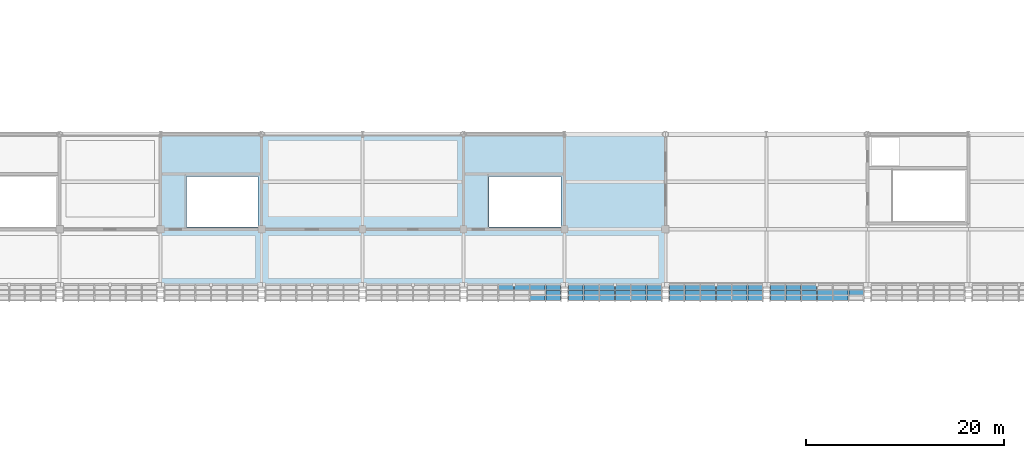
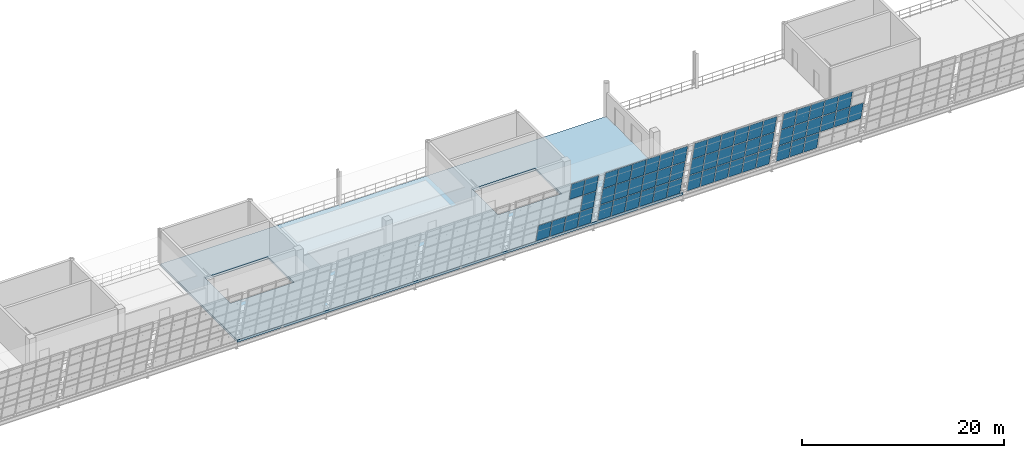
# One storey, part 104 of 157: 57 plates, 1 slab, 4 elements without a shape of their own.
"""IFC4 building model written with IfcOpenShell, lengths in metres."""

import ifcopenshell
import ifcopenshell.guid

model = None  # the IFC model being written
_history = None  # IfcOwnerHistory: only IFC2X3 demands one
_inside = {}  # id of a spatial element -> (the spatial element, [elements in it])
_under = {}  # id of a project, library or spatial element -> (it, [spatial elements below it])
_declared = {}  # id of a project -> (the project, [libraries it declares])
_typed = {}  # id of a type object -> (the type object, [elements of that type])
_made_of = {}  # id of a material, layer set ... -> (it, [elements and type objects made of it])


def new_model(schema):
    """Start an empty IFC model of exactly this schema.

    Asked for "IFC4X3", IfcOpenShell would pick the latest addendum, in which some entities
    have other attributes; the version numbers below select the first issue.
    IFC2X3 requires an IfcOwnerHistory on every rooted entity: one is made here for all.
    """
    global model, _history
    if schema == "IFC4X3":
        model = ifcopenshell.file(schema_version=(4, 3, 0, 0))
    else:
        model = ifcopenshell.file(schema=schema)
    _inside.clear()
    _under.clear()
    _declared.clear()
    _typed.clear()
    _made_of.clear()
    _history = None
    if model.schema == "IFC2X3":
        org = make("IfcOrganization", Name="unknown")
        user = make(
            "IfcPersonAndOrganization",
            ThePerson=make("IfcPerson", FamilyName="unknown"),
            TheOrganization=org,
        )
        app = make(
            "IfcApplication",
            ApplicationDeveloper=org,
            Version="unknown",
            ApplicationFullName="unknown",
            ApplicationIdentifier="unknown",
        )
        _history = make(
            "IfcOwnerHistory",
            OwningUser=user,
            OwningApplication=app,
            ChangeAction="ADDED",
            CreationDate=0,
        )
    return model


def make(cls, **values):
    """One entity of the class cls with the attributes given. An attribute that is None is left unset."""
    return model.create_entity(
        cls, **{name: value for name, value in values.items() if value is not None}
    )


def rooted(cls, **values):
    """An entity with a GlobalId (a new one), such as an element, a storey or a relation."""
    return make(cls, GlobalId=ifcopenshell.guid.new(), OwnerHistory=_history, **values)


def si_unit(unit_type, name, prefix=None):
    """IfcSIUnit, for example si_unit("LENGTHUNIT", "METRE", prefix="MILLI")."""
    return make("IfcSIUnit", UnitType=unit_type, Prefix=prefix, Name=name)


def assignment(units):
    """IfcUnitAssignment: the units of a project."""
    return None if units is None else make("IfcUnitAssignment", Units=units)


def point(xyz):
    """IfcCartesianPoint."""
    return None if xyz is None else make("IfcCartesianPoint", Coordinates=xyz)


def direction(xyz):
    """IfcDirection."""
    return None if xyz is None else make("IfcDirection", DirectionRatios=xyz)


def frame(location, z_axis=None, x_axis=None):
    """IfcAxis2Placement3D, a coordinate frame: its origin and axes. An axis left out is left unset."""
    return make(
        "IfcAxis2Placement3D",
        Location=point(location),
        Axis=direction(z_axis),
        RefDirection=direction(x_axis),
    )


def origin():
    """The frame at (0, 0, 0) with its axes left unset."""
    return frame((0.0, 0.0, 0.0))


def place(relative_to, where):
    """IfcLocalPlacement: puts the frame where relative to a parent placement (None: the world)."""
    return make(
        "IfcLocalPlacement", PlacementRelTo=relative_to, RelativePlacement=where
    )


def context(
    kind, dimensions, precision=None, world=None, true_north=None, identifier=None
):
    """IfcGeometricRepresentationContext, for example the 3D "Model" context."""
    return make(
        "IfcGeometricRepresentationContext",
        ContextIdentifier=identifier,
        ContextType=kind,
        CoordinateSpaceDimension=dimensions,
        Precision=precision,
        WorldCoordinateSystem=world,
        TrueNorth=true_north,
    )


def subcontext(parent, identifier, kind, view, scale=None):
    """IfcGeometricRepresentationSubContext, for example "Body" below "Model"."""
    return make(
        "IfcGeometricRepresentationSubContext",
        ContextIdentifier=identifier,
        ContextType=kind,
        ParentContext=parent,
        TargetScale=scale,
        TargetView=view,
    )


def project(units=None, contexts=None):
    """IfcProject with its units and contexts."""
    return rooted(
        "IfcProject",
        Name="project",
        RepresentationContexts=contexts,
        UnitsInContext=assignment(units),
    )


def spatial(cls, under=None, at=None, **own):
    """A site, building, storey or space (cls), placed at a placement, below another one or the project."""
    s = rooted(cls, ObjectPlacement=at, **own)
    if under is not None:
        _under.setdefault(under.id(), (under, []))[1].append(s)
    return s


def polyline(points):
    """IfcPolyline through the points."""
    return make("IfcPolyline", Points=[point(p) for p in points])


def outline(outer, holes=None, kind="AREA"):
    """IfcArbitraryClosedProfileDef: a profile drawn as a closed curve; with holes, ...WithVoids."""
    if holes is None:
        return make("IfcArbitraryClosedProfileDef", ProfileType=kind, OuterCurve=outer)
    return make(
        "IfcArbitraryProfileDefWithVoids",
        ProfileType=kind,
        OuterCurve=outer,
        InnerCurves=holes,
    )


def extrude(swept, where, along, depth):
    """IfcExtrudedAreaSolid: the profile swept, set in the frame where, extruded along a direction by depth."""
    return make(
        "IfcExtrudedAreaSolid",
        SweptArea=swept,
        Position=where,
        ExtrudedDirection=direction(along),
        Depth=depth,
    )


def shape(context_of_items, identifier, shape_type, items):
    """IfcShapeRepresentation: the items that make up one representation, for example the "Body"."""
    return make(
        "IfcShapeRepresentation",
        ContextOfItems=context_of_items,
        RepresentationIdentifier=identifier,
        RepresentationType=shape_type,
        Items=items,
    )


def material(Name=None, Category=None):
    """IfcMaterial."""
    return make("IfcMaterial", Name=Name, Category=Category)


def layer(
    of_material, thickness, ventilated=None, Name=None, Category=None, Priority=None
):
    """IfcMaterialLayer: one layer of a wall or slab, of a material (None: an air gap)."""
    return make(
        "IfcMaterialLayer",
        Material=of_material,
        LayerThickness=thickness,
        IsVentilated=ventilated,
        Name=Name,
        Category=Category,
        Priority=Priority,
    )


def layer_set(layers, Name=None):
    """IfcMaterialLayerSet."""
    return make("IfcMaterialLayerSet", MaterialLayers=layers, LayerSetName=Name)


def made_of(thing, what):
    """Note that an element or type object is made of a material, layer set ...; save() writes the relation."""
    if what is not None:
        _made_of.setdefault(what.id(), (what, []))[1].append(thing)
    return thing


def type_object(cls, material=None, **own):
    """A type object (cls), such as IfcWallType, which elements share."""
    return made_of(rooted(cls, **own), material)


def element(
    cls,
    number,
    at=None,
    inside=None,
    cuts=None,
    type_object=None,
    material=None,
    context=None,
    identifier="Body",
    shape_type=None,
    held_by="IfcProductDefinitionShape",
    body=None,
    shapes=None,
    **own,
):
    """One element of the class cls, such as IfcWall. Its Tag is "e" and its number.

    at: its placement. inside: the storey or other place that contains it. cuts: it is an
    opening in that element (IfcRelVoidsElement). A single representation is given by context,
    identifier, shape_type and body (its items); several are given by shapes. held_by: the class
    of the entity that holds the representations. save() writes the other relations.
    """
    e = rooted(cls, Tag="e%d" % number, ObjectPlacement=at, **own)
    if body is not None:
        shapes = [shape(context, identifier, shape_type, body)]
    if shapes is not None:
        e.Representation = make(held_by, Representations=shapes)
    if inside is not None:
        _inside.setdefault(inside.id(), (inside, []))[1].append(e)
    if cuts is not None:
        rooted(
            "IfcRelVoidsElement", RelatingBuildingElement=cuts, RelatedOpeningElement=e
        )
    if type_object is not None:
        _typed.setdefault(type_object.id(), (type_object, []))[1].append(e)
    return made_of(e, material)


def aggregate(whole, parts):
    """IfcRelAggregates: a whole, such as a stair, and the parts it consists of."""
    return rooted("IfcRelAggregates", RelatingObject=whole, RelatedObjects=parts)


def save(model, path):
    """Write the relations noted so far, then the file.

    IfcRelAggregates (storeys below a building ...), IfcRelContainedInSpatialStructure (elements
    in a storey), IfcRelDefinesByType, IfcRelAssociatesMaterial and IfcRelDeclares: one each for
    every whole, place, type object, material and project.
    """
    for whole, parts in _under.values():
        aggregate(whole, parts)
    for where, things in _inside.values():
        rooted(
            "IfcRelContainedInSpatialStructure",
            RelatedElements=things,
            RelatingStructure=where,
        )
    for kind, things in _typed.values():
        rooted("IfcRelDefinesByType", RelatedObjects=things, RelatingType=kind)
    for what, things in _made_of.values():
        rooted("IfcRelAssociatesMaterial", RelatedObjects=things, RelatingMaterial=what)
    for by, libraries in _declared.values():
        rooted("IfcRelDeclares", RelatingContext=by, RelatedDefinitions=libraries)
    model.write(path)


model = new_model("IFC4")

# Units and contexts
model_context = context("Model", 3, precision=1e-05, world=origin(), true_north=direction((0.0, 1.0)))
body_context = subcontext(model_context, "Body", "Model", "MODEL_VIEW")
ifc_project = project(units=[si_unit("LENGTHUNIT", "METRE"), si_unit("AREAUNIT", "SQUARE_METRE"), si_unit("VOLUMEUNIT", "CUBIC_METRE"), si_unit("PLANEANGLEUNIT", "RADIAN"), si_unit("MASSUNIT", "GRAM", prefix="KILO")], contexts=[model_context])

# Site, building, storey
site_placement = place(None, origin())
site = spatial("IfcSite", under=ifc_project, at=site_placement, CompositionType="ELEMENT")
building_placement = place(site_placement, origin())
building = spatial("IfcBuilding", under=site, at=building_placement, Name="Brelvane Convention Centre", CompositionType="ELEMENT")
storey_placement = place(building_placement, frame((0.0, 0.0, 10.800048828125)))
storey = spatial("IfcBuildingStorey", under=building, at=storey_placement, Name="L02", CompositionType="ELEMENT", Elevation=10.800048828125)

# Curtain wall, plates
ifc_material_1 = material(Name="Anodised Aluminium Alloy 6063-T6", Category="aluminium")
curtain_wall_type = type_object("IfcCurtainWallType", Name="Curtain Wall CW-HULL-S", PredefinedType="USERDEFINED", material=ifc_material_1)
curtain_wall_1_placement = place(storey_placement, origin())
curtain_wall_1 = element("IfcCurtainWall", 1, at=curtain_wall_1_placement, inside=storey, type_object=curtain_wall_type, Name="Curtain Wall CW-HULL-S L02-HULL-S-L02-09", ObjectType="UNITISED", PredefinedType="USERDEFINED")
ifc_material_2 = material(Name="Double Glazed Low-E Laminated Unit")
ifc_layer_1 = layer(ifc_material_2, 0.0380859375)
ifc_layer_set_1 = layer_set([ifc_layer_1], Name="Double Glazed Low-E Laminated Unit")
plate_type_1 = type_object("IfcPlateType", Name="Curtain Panel CW-PG2", PredefinedType="CURTAIN_PANEL", material=ifc_layer_set_1)
plate_1_placement = place(storey_placement, frame((88.333251953125, 12.51953125, 4.606689453125), z_axis=(0.0, 0.973586933466, 0.228316628794), x_axis=(1.0, 0.0, 0.0)))
plate_1 = element("IfcPlate", 2, at=plate_1_placement, type_object=plate_type_1, Name="CW-HULL-S panel 5.3", PredefinedType="CURTAIN_PANEL", context=body_context, shape_type="SweptSolid", body=[
    extrude(outline(polyline([(0.0, 0.0), (1.513427734375, 0.0), (1.513427734375, -2.2220204521674902), (0.0, -2.2220204521674902), (0.0, 0.0)])), origin(), (0.0, 0.0, -1.0), 0.0380859375),
])
plate_2_placement = place(storey_placement, frame((89.9267578125, 13.05517578125, 2.3232421875), z_axis=(0.0, 0.973573977576, 0.228371868203), x_axis=(1.0, 0.0, 0.0)))
plate_2 = element("IfcPlate", 3, at=plate_2_placement, type_object=plate_type_1, Name="CW-HULL-S panel 6.2", PredefinedType="CURTAIN_PANEL", context=body_context, shape_type="SweptSolid", body=[
    extrude(outline(polyline([(0.0, 0.0), (1.47314453125, 0.0), (1.47314453125, -2.2631758771022032), (0.0, -2.2631758771022032), (0.0, 0.0)])), origin(), (0.0, 0.0, -1.0), 0.0380859375),
])
plate_3_placement = place(storey_placement, frame((89.9267578125, 12.51953125, 4.606689453125), z_axis=(0.0, 0.973586933466, 0.228316628794), x_axis=(1.0, 0.0, 0.0)))
plate_3 = element("IfcPlate", 4, at=plate_3_placement, type_object=plate_type_1, Name="CW-HULL-S panel 6.3", PredefinedType="CURTAIN_PANEL", context=body_context, shape_type="SweptSolid", body=[
    extrude(outline(polyline([(0.0, 0.0), (1.47314453125, 0.0), (1.47314453125, -2.2220204521674902), (0.0, -2.2220204521674902), (0.0, 0.0)])), origin(), (0.0, 0.0, -1.0), 0.0380859375),
])

curtain_wall_2_placement = place(storey_placement, origin())
curtain_wall_2 = element("IfcCurtainWall", 5, at=curtain_wall_2_placement, inside=storey, type_object=curtain_wall_type, Name="Curtain Wall CW-HULL-S L02-HULL-S-L02-10", ObjectType="UNITISED", PredefinedType="USERDEFINED")
plate_4_placement = place(storey_placement, frame((92.199951171875, 13.05517578125, 2.3232421875), z_axis=(0.0, 0.973573977576, 0.228371868203), x_axis=(1.0, 0.0, 0.0)))
plate_4 = element("IfcPlate", 6, at=plate_4_placement, type_object=plate_type_1, Name="CW-HULL-S panel 1.2", PredefinedType="CURTAIN_PANEL", context=body_context, shape_type="SweptSolid", body=[
    extrude(outline(polyline([(0.0, 0.0), (1.473388671875, 0.0), (1.473388671875, -2.2631758771022032), (0.0, -2.2631758771022032), (0.0, 0.0)])), origin(), (0.0, 0.0, -1.0), 0.0380859375),
])
plate_5_placement = place(storey_placement, frame((92.199951171875, 12.51953125, 4.606689453125), z_axis=(0.0, 0.973586933466, 0.228316628794), x_axis=(1.0, 0.0, 0.0)))
plate_5 = element("IfcPlate", 7, at=plate_5_placement, type_object=plate_type_1, Name="CW-HULL-S panel 1.3", PredefinedType="CURTAIN_PANEL", context=body_context, shape_type="SweptSolid", body=[
    extrude(outline(polyline([(0.0, 0.0), (1.473388671875, 0.0), (1.473388671875, -2.2220204521674902), (0.0, -2.2220204521674902), (0.0, 0.0)])), origin(), (0.0, 0.0, -1.0), 0.0380859375),
])
plate_6_placement = place(storey_placement, frame((93.75341796875, 13.05517578125, 2.3232421875), z_axis=(0.0, 0.973573977576, 0.228371868203), x_axis=(1.0, 0.0, 0.0)))
plate_6 = element("IfcPlate", 8, at=plate_6_placement, type_object=plate_type_1, Name="CW-HULL-S panel 2.2", PredefinedType="CURTAIN_PANEL", context=body_context, shape_type="SweptSolid", body=[
    extrude(outline(polyline([(0.0, 0.0), (1.51318359375, 0.0), (1.51318359375, -2.2631758771022032), (0.0, -2.2631758771022032), (0.0, 0.0)])), origin(), (0.0, 0.0, -1.0), 0.0380859375),
])
plate_7_placement = place(storey_placement, frame((93.75341796875, 12.51953125, 4.606689453125), z_axis=(0.0, 0.973586933466, 0.228316628794), x_axis=(1.0, 0.0, 0.0)))
plate_7 = element("IfcPlate", 9, at=plate_7_placement, type_object=plate_type_1, Name="CW-HULL-S panel 2.3", PredefinedType="CURTAIN_PANEL", context=body_context, shape_type="SweptSolid", body=[
    extrude(outline(polyline([(0.0, 0.0), (1.51318359375, 0.0), (1.51318359375, -2.2220204521674902), (0.0, -2.2220204521674902), (0.0, 0.0)])), origin(), (0.0, 0.0, -1.0), 0.0380859375),
])
plate_8_placement = place(storey_placement, frame((95.3466796875, 13.05517578125, 2.3232421875), z_axis=(0.0, 0.973573977576, 0.228371868203), x_axis=(1.0, 0.0, 0.0)))
plate_8 = element("IfcPlate", 10, at=plate_8_placement, type_object=plate_type_1, Name="CW-HULL-S panel 3.2", PredefinedType="CURTAIN_PANEL", context=body_context, shape_type="SweptSolid", body=[
    extrude(outline(polyline([(0.0, 0.0), (1.513427734375, 0.0), (1.513427734375, -2.2631758771022032), (0.0, -2.2631758771022032), (0.0, 0.0)])), origin(), (0.0, 0.0, -1.0), 0.0380859375),
])
plate_9_placement = place(storey_placement, frame((95.3466796875, 12.51953125, 4.606689453125), z_axis=(0.0, 0.973586933466, 0.228316628794), x_axis=(1.0, 0.0, 0.0)))
plate_9 = element("IfcPlate", 11, at=plate_9_placement, type_object=plate_type_1, Name="CW-HULL-S panel 3.3", PredefinedType="CURTAIN_PANEL", context=body_context, shape_type="SweptSolid", body=[
    extrude(outline(polyline([(0.0, 0.0), (1.513427734375, 0.0), (1.513427734375, -2.2220204521674902), (0.0, -2.2220204521674902), (0.0, 0.0)])), origin(), (0.0, 0.0, -1.0), 0.0380859375),
])
plate_10_placement = place(storey_placement, frame((96.93994140625, 13.05517578125, 2.3232421875), z_axis=(0.0, 0.973573977576, 0.228371868203), x_axis=(1.0, 0.0, 0.0)))
plate_10 = element("IfcPlate", 12, at=plate_10_placement, type_object=plate_type_1, Name="CW-HULL-S panel 4.2", PredefinedType="CURTAIN_PANEL", context=body_context, shape_type="SweptSolid", body=[
    extrude(outline(polyline([(0.0, 0.0), (1.513427734375, 0.0), (1.513427734375, -2.2631758771022032), (0.0, -2.2631758771022032), (0.0, 0.0)])), origin(), (0.0, 0.0, -1.0), 0.0380859375),
])
plate_11_placement = place(storey_placement, frame((96.93994140625, 12.51953125, 4.606689453125), z_axis=(0.0, 0.973586933466, 0.228316628794), x_axis=(1.0, 0.0, 0.0)))
plate_11 = element("IfcPlate", 13, at=plate_11_placement, type_object=plate_type_1, Name="CW-HULL-S panel 4.3", PredefinedType="CURTAIN_PANEL", context=body_context, shape_type="SweptSolid", body=[
    extrude(outline(polyline([(0.0, 0.0), (1.513427734375, 0.0), (1.513427734375, -2.2220204521674902), (0.0, -2.2220204521674902), (0.0, 0.0)])), origin(), (0.0, 0.0, -1.0), 0.0380859375),
])
plate_12_placement = place(storey_placement, frame((98.533447265625, 13.05517578125, 2.3232421875), z_axis=(0.0, 0.973573977576, 0.228371868203), x_axis=(1.0, 0.0, 0.0)))
plate_12 = element("IfcPlate", 14, at=plate_12_placement, type_object=plate_type_1, Name="CW-HULL-S panel 5.2", PredefinedType="CURTAIN_PANEL", context=body_context, shape_type="SweptSolid", body=[
    extrude(outline(polyline([(0.0, 0.0), (1.51318359375, 0.0), (1.51318359375, -2.2631758771022032), (0.0, -2.2631758771022032), (0.0, 0.0)])), origin(), (0.0, 0.0, -1.0), 0.0380859375),
])
plate_13_placement = place(storey_placement, frame((98.533447265625, 12.51953125, 4.606689453125), z_axis=(0.0, 0.973586933466, 0.228316628794), x_axis=(1.0, 0.0, 0.0)))
plate_13 = element("IfcPlate", 15, at=plate_13_placement, type_object=plate_type_1, Name="CW-HULL-S panel 5.3", PredefinedType="CURTAIN_PANEL", context=body_context, shape_type="SweptSolid", body=[
    extrude(outline(polyline([(0.0, 0.0), (1.51318359375, 0.0), (1.51318359375, -2.2220204521674902), (0.0, -2.2220204521674902), (0.0, 0.0)])), origin(), (0.0, 0.0, -1.0), 0.0380859375),
])
plate_14_placement = place(storey_placement, frame((100.126708984375, 13.05517578125, 2.3232421875), z_axis=(0.0, 0.973573977576, 0.228371868203), x_axis=(1.0, 0.0, 0.0)))
plate_14 = element("IfcPlate", 16, at=plate_14_placement, type_object=plate_type_1, Name="CW-HULL-S panel 6.2", PredefinedType="CURTAIN_PANEL", context=body_context, shape_type="SweptSolid", body=[
    extrude(outline(polyline([(0.0, 0.0), (1.473388671875, 0.0), (1.473388671875, -2.2631758771022032), (0.0, -2.2631758771022032), (0.0, 0.0)])), origin(), (0.0, 0.0, -1.0), 0.0380859375),
])
plate_15_placement = place(storey_placement, frame((100.126708984375, 12.51953125, 4.606689453125), z_axis=(0.0, 0.973586933466, 0.228316628794), x_axis=(1.0, 0.0, 0.0)))
plate_15 = element("IfcPlate", 17, at=plate_15_placement, type_object=plate_type_1, Name="CW-HULL-S panel 6.3", PredefinedType="CURTAIN_PANEL", context=body_context, shape_type="SweptSolid", body=[
    extrude(outline(polyline([(0.0, 0.0), (1.473388671875, 0.0), (1.473388671875, -2.2220204521674902), (0.0, -2.2220204521674902), (0.0, 0.0)])), origin(), (0.0, 0.0, -1.0), 0.0380859375),
])

curtain_wall_3_placement = place(storey_placement, origin())
curtain_wall_3 = element("IfcCurtainWall", 18, at=curtain_wall_3_placement, inside=storey, type_object=curtain_wall_type, Name="Curtain Wall CW-HULL-S L02-HULL-S-L02-11", ObjectType="UNITISED", PredefinedType="USERDEFINED")
plate_16_placement = place(storey_placement, frame((102.39990234375, 13.05517578125, 2.3232421875), z_axis=(0.0, 0.973573977576, 0.228371868203), x_axis=(1.0, 0.0, 0.0)))
plate_16 = element("IfcPlate", 19, at=plate_16_placement, type_object=plate_type_1, Name="CW-HULL-S panel 1.2", PredefinedType="CURTAIN_PANEL", context=body_context, shape_type="SweptSolid", body=[
    extrude(outline(polyline([(0.0, 0.0), (1.473388671875, 0.0), (1.473388671875, -2.2631758771022032), (0.0, -2.2631758771022032), (0.0, 0.0)])), origin(), (0.0, 0.0, -1.0), 0.0380859375),
])
plate_17_placement = place(storey_placement, frame((102.39990234375, 12.51953125, 4.606689453125), z_axis=(0.0, 0.973586933466, 0.228316628794), x_axis=(1.0, 0.0, 0.0)))
plate_17 = element("IfcPlate", 20, at=plate_17_placement, type_object=plate_type_1, Name="CW-HULL-S panel 1.3", PredefinedType="CURTAIN_PANEL", context=body_context, shape_type="SweptSolid", body=[
    extrude(outline(polyline([(0.0, 0.0), (1.473388671875, 0.0), (1.473388671875, -2.2220204521674902), (0.0, -2.2220204521674902), (0.0, 0.0)])), origin(), (0.0, 0.0, -1.0), 0.0380859375),
])
plate_18_placement = place(storey_placement, frame((103.953369140625, 13.05517578125, 2.3232421875), z_axis=(0.0, 0.973573977576, 0.228371868203), x_axis=(1.0, 0.0, 0.0)))
plate_18 = element("IfcPlate", 21, at=plate_18_placement, type_object=plate_type_1, Name="CW-HULL-S panel 2.2", PredefinedType="CURTAIN_PANEL", context=body_context, shape_type="SweptSolid", body=[
    extrude(outline(polyline([(0.0, 0.0), (1.51318359375, 0.0), (1.51318359375, -2.2631758771022032), (0.0, -2.2631758771022032), (0.0, 0.0)])), origin(), (0.0, 0.0, -1.0), 0.0380859375),
])
plate_19_placement = place(storey_placement, frame((103.953369140625, 12.51953125, 4.606689453125), z_axis=(0.0, 0.973586933466, 0.228316628794), x_axis=(1.0, 0.0, 0.0)))
plate_19 = element("IfcPlate", 22, at=plate_19_placement, type_object=plate_type_1, Name="CW-HULL-S panel 2.3", PredefinedType="CURTAIN_PANEL", context=body_context, shape_type="SweptSolid", body=[
    extrude(outline(polyline([(0.0, 0.0), (1.51318359375, 0.0), (1.51318359375, -2.2220204521674902), (0.0, -2.2220204521674902), (0.0, 0.0)])), origin(), (0.0, 0.0, -1.0), 0.0380859375),
])
plate_20_placement = place(storey_placement, frame((105.546630859375, 13.05517578125, 2.3232421875), z_axis=(0.0, 0.973573977576, 0.228371868203), x_axis=(1.0, 0.0, 0.0)))
plate_20 = element("IfcPlate", 23, at=plate_20_placement, type_object=plate_type_1, Name="CW-HULL-S panel 3.2", PredefinedType="CURTAIN_PANEL", context=body_context, shape_type="SweptSolid", body=[
    extrude(outline(polyline([(0.0, 0.0), (1.513427734375, 0.0), (1.513427734375, -2.2631758771022032), (0.0, -2.2631758771022032), (0.0, 0.0)])), origin(), (0.0, 0.0, -1.0), 0.0380859375),
])
plate_21_placement = place(storey_placement, frame((105.546630859375, 12.51953125, 4.606689453125), z_axis=(0.0, 0.973586933466, 0.228316628794), x_axis=(1.0, 0.0, 0.0)))
plate_21 = element("IfcPlate", 24, at=plate_21_placement, type_object=plate_type_1, Name="CW-HULL-S panel 3.3", PredefinedType="CURTAIN_PANEL", context=body_context, shape_type="SweptSolid", body=[
    extrude(outline(polyline([(0.0, 0.0), (1.513427734375, 0.0), (1.513427734375, -2.2220204521674902), (0.0, -2.2220204521674902), (0.0, 0.0)])), origin(), (0.0, 0.0, -1.0), 0.0380859375),
])
plate_22_placement = place(storey_placement, frame((107.139892578125, 13.05517578125, 2.3232421875), z_axis=(0.0, 0.973573977576, 0.228371868203), x_axis=(1.0, 0.0, 0.0)))
plate_22 = element("IfcPlate", 25, at=plate_22_placement, type_object=plate_type_1, Name="CW-HULL-S panel 4.2", PredefinedType="CURTAIN_PANEL", context=body_context, shape_type="SweptSolid", body=[
    extrude(outline(polyline([(0.0, 0.0), (1.513427734375, 0.0), (1.513427734375, -2.2631758771022032), (0.0, -2.2631758771022032), (0.0, 0.0)])), origin(), (0.0, 0.0, -1.0), 0.0380859375),
])
plate_23_placement = place(storey_placement, frame((107.139892578125, 12.51953125, 4.606689453125), z_axis=(0.0, 0.973586933466, 0.228316628794), x_axis=(1.0, 0.0, 0.0)))
plate_23 = element("IfcPlate", 26, at=plate_23_placement, type_object=plate_type_1, Name="CW-HULL-S panel 4.3", PredefinedType="CURTAIN_PANEL", context=body_context, shape_type="SweptSolid", body=[
    extrude(outline(polyline([(0.0, 0.0), (1.513427734375, 0.0), (1.513427734375, -2.2220204521674902), (0.0, -2.2220204521674902), (0.0, 0.0)])), origin(), (0.0, 0.0, -1.0), 0.0380859375),
])
plate_24_placement = place(storey_placement, frame((108.7333984375, 13.05517578125, 2.3232421875), z_axis=(0.0, 0.973573977576, 0.228371868203), x_axis=(1.0, 0.0, 0.0)))
plate_24 = element("IfcPlate", 27, at=plate_24_placement, type_object=plate_type_1, Name="CW-HULL-S panel 5.2", PredefinedType="CURTAIN_PANEL", context=body_context, shape_type="SweptSolid", body=[
    extrude(outline(polyline([(0.0, 0.0), (1.51318359375, 0.0), (1.51318359375, -2.2631758771022032), (0.0, -2.2631758771022032), (0.0, 0.0)])), origin(), (0.0, 0.0, -1.0), 0.0380859375),
])
plate_25_placement = place(storey_placement, frame((108.7333984375, 12.51953125, 4.606689453125), z_axis=(0.0, 0.973586933466, 0.228316628794), x_axis=(1.0, 0.0, 0.0)))
plate_25 = element("IfcPlate", 28, at=plate_25_placement, type_object=plate_type_1, Name="CW-HULL-S panel 5.3", PredefinedType="CURTAIN_PANEL", context=body_context, shape_type="SweptSolid", body=[
    extrude(outline(polyline([(0.0, 0.0), (1.51318359375, 0.0), (1.51318359375, -2.2220204521674902), (0.0, -2.2220204521674902), (0.0, 0.0)])), origin(), (0.0, 0.0, -1.0), 0.0380859375),
])
plate_26_placement = place(storey_placement, frame((110.32666015625, 13.05517578125, 2.3232421875), z_axis=(0.0, 0.973573977576, 0.228371868203), x_axis=(1.0, 0.0, 0.0)))
plate_26 = element("IfcPlate", 29, at=plate_26_placement, type_object=plate_type_1, Name="CW-HULL-S panel 6.2", PredefinedType="CURTAIN_PANEL", context=body_context, shape_type="SweptSolid", body=[
    extrude(outline(polyline([(0.0, 0.0), (1.473388671875, 0.0), (1.473388671875, -2.2631758771022032), (0.0, -2.2631758771022032), (0.0, 0.0)])), origin(), (0.0, 0.0, -1.0), 0.0380859375),
])
plate_27_placement = place(storey_placement, frame((110.32666015625, 12.51953125, 4.606689453125), z_axis=(0.0, 0.973586933466, 0.228316628794), x_axis=(1.0, 0.0, 0.0)))
plate_27 = element("IfcPlate", 30, at=plate_27_placement, type_object=plate_type_1, Name="CW-HULL-S panel 6.3", PredefinedType="CURTAIN_PANEL", context=body_context, shape_type="SweptSolid", body=[
    extrude(outline(polyline([(0.0, 0.0), (1.473388671875, 0.0), (1.473388671875, -2.2220204521674902), (0.0, -2.2220204521674902), (0.0, 0.0)])), origin(), (0.0, 0.0, -1.0), 0.0380859375),
])

curtain_wall_4_placement = place(storey_placement, origin())
curtain_wall_4 = element("IfcCurtainWall", 31, at=curtain_wall_4_placement, inside=storey, type_object=curtain_wall_type, Name="Curtain Wall CW-HULL-S L02-HULL-S-L02-12", ObjectType="UNITISED", PredefinedType="USERDEFINED")
plate_28_placement = place(storey_placement, frame((112.60009765625, 13.05517578125, 2.3232421875), z_axis=(0.0, 0.973573977576, 0.228371868203), x_axis=(1.0, 0.0, 0.0)))
plate_28 = element("IfcPlate", 32, at=plate_28_placement, type_object=plate_type_1, Name="CW-HULL-S panel 1.2", PredefinedType="CURTAIN_PANEL", context=body_context, shape_type="SweptSolid", body=[
    extrude(outline(polyline([(0.0, 0.0), (1.47314453125, 0.0), (1.47314453125, -2.2631758771022032), (0.0, -2.2631758771022032), (0.0, 0.0)])), origin(), (0.0, 0.0, -1.0), 0.0380859375),
])
plate_29_placement = place(storey_placement, frame((112.60009765625, 12.51953125, 4.606689453125), z_axis=(0.0, 0.973586933466, 0.228316628794), x_axis=(1.0, 0.0, 0.0)))
plate_29 = element("IfcPlate", 33, at=plate_29_placement, type_object=plate_type_1, Name="CW-HULL-S panel 1.3", PredefinedType="CURTAIN_PANEL", context=body_context, shape_type="SweptSolid", body=[
    extrude(outline(polyline([(0.0, 0.0), (1.47314453125, 0.0), (1.47314453125, -2.2220204521674902), (0.0, -2.2220204521674902), (0.0, 0.0)])), origin(), (0.0, 0.0, -1.0), 0.0380859375),
])
plate_30_placement = place(storey_placement, frame((114.1533203125, 13.05517578125, 2.3232421875), z_axis=(0.0, 0.973573977576, 0.228371868203), x_axis=(1.0, 0.0, 0.0)))
plate_30 = element("IfcPlate", 34, at=plate_30_placement, type_object=plate_type_1, Name="CW-HULL-S panel 2.2", PredefinedType="CURTAIN_PANEL", context=body_context, shape_type="SweptSolid", body=[
    extrude(outline(polyline([(0.0, 0.0), (1.513427734375, 0.0), (1.513427734375, -2.2631758771022032), (0.0, -2.2631758771022032), (0.0, 0.0)])), origin(), (0.0, 0.0, -1.0), 0.0380859375),
])
plate_31_placement = place(storey_placement, frame((114.1533203125, 12.51953125, 4.606689453125), z_axis=(0.0, 0.973586933466, 0.228316628794), x_axis=(1.0, 0.0, 0.0)))
plate_31 = element("IfcPlate", 35, at=plate_31_placement, type_object=plate_type_1, Name="CW-HULL-S panel 2.3", PredefinedType="CURTAIN_PANEL", context=body_context, shape_type="SweptSolid", body=[
    extrude(outline(polyline([(0.0, 0.0), (1.513427734375, 0.0), (1.513427734375, -2.2220204521674902), (0.0, -2.2220204521674902), (0.0, 0.0)])), origin(), (0.0, 0.0, -1.0), 0.0380859375),
])
plate_32_placement = place(storey_placement, frame((115.74658203125, 13.05517578125, 2.3232421875), z_axis=(0.0, 0.973573977576, 0.228371868203), x_axis=(1.0, 0.0, 0.0)))
plate_32 = element("IfcPlate", 36, at=plate_32_placement, type_object=plate_type_1, Name="CW-HULL-S panel 3.2", PredefinedType="CURTAIN_PANEL", context=body_context, shape_type="SweptSolid", body=[
    extrude(outline(polyline([(0.0, 0.0), (1.513427734375, 0.0), (1.513427734375, -2.2631758771022032), (0.0, -2.2631758771022032), (0.0, 0.0)])), origin(), (0.0, 0.0, -1.0), 0.0380859375),
])
plate_33_placement = place(storey_placement, frame((115.74658203125, 12.51953125, 4.606689453125), z_axis=(0.0, 0.973586933466, 0.228316628794), x_axis=(1.0, 0.0, 0.0)))
plate_33 = element("IfcPlate", 37, at=plate_33_placement, type_object=plate_type_1, Name="CW-HULL-S panel 3.3", PredefinedType="CURTAIN_PANEL", context=body_context, shape_type="SweptSolid", body=[
    extrude(outline(polyline([(0.0, 0.0), (1.513427734375, 0.0), (1.513427734375, -2.2220204521674902), (0.0, -2.2220204521674902), (0.0, 0.0)])), origin(), (0.0, 0.0, -1.0), 0.0380859375),
])
plate_34_placement = place(storey_placement, frame((117.340087890625, 13.05517578125, 2.3232421875), z_axis=(0.0, 0.973573977576, 0.228371868203), x_axis=(1.0, 0.0, 0.0)))
plate_34 = element("IfcPlate", 38, at=plate_34_placement, type_object=plate_type_1, Name="CW-HULL-S panel 4.2", PredefinedType="CURTAIN_PANEL", context=body_context, shape_type="SweptSolid", body=[
    extrude(outline(polyline([(0.0, 0.0), (1.51318359375, 0.0), (1.51318359375, -2.2631758771022032), (0.0, -2.2631758771022032), (0.0, 0.0)])), origin(), (0.0, 0.0, -1.0), 0.0380859375),
])
plate_35_placement = place(storey_placement, frame((117.340087890625, 12.51953125, 4.606689453125), z_axis=(0.0, 0.973586933466, 0.228316628794), x_axis=(1.0, 0.0, 0.0)))
plate_35 = element("IfcPlate", 39, at=plate_35_placement, type_object=plate_type_1, Name="CW-HULL-S panel 4.3", PredefinedType="CURTAIN_PANEL", context=body_context, shape_type="SweptSolid", body=[
    extrude(outline(polyline([(0.0, 0.0), (1.51318359375, 0.0), (1.51318359375, -2.2220204521674902), (0.0, -2.2220204521674902), (0.0, 0.0)])), origin(), (0.0, 0.0, -1.0), 0.0380859375),
])
plate_36_placement = place(storey_placement, frame((118.933349609375, 13.05517578125, 2.3232421875), z_axis=(0.0, 0.973573977576, 0.228371868203), x_axis=(1.0, 0.0, 0.0)))
plate_36 = element("IfcPlate", 40, at=plate_36_placement, type_object=plate_type_1, Name="CW-HULL-S panel 5.2", PredefinedType="CURTAIN_PANEL", context=body_context, shape_type="SweptSolid", body=[
    extrude(outline(polyline([(0.0, 0.0), (1.513427734375, 0.0), (1.513427734375, -2.2631758771022032), (0.0, -2.2631758771022032), (0.0, 0.0)])), origin(), (0.0, 0.0, -1.0), 0.0380859375),
])
plate_37_placement = place(storey_placement, frame((118.933349609375, 12.51953125, 4.606689453125), z_axis=(0.0, 0.973586933466, 0.228316628794), x_axis=(1.0, 0.0, 0.0)))
plate_37 = element("IfcPlate", 41, at=plate_37_placement, type_object=plate_type_1, Name="CW-HULL-S panel 5.3", PredefinedType="CURTAIN_PANEL", context=body_context, shape_type="SweptSolid", body=[
    extrude(outline(polyline([(0.0, 0.0), (1.513427734375, 0.0), (1.513427734375, -2.2220204521674902), (0.0, -2.2220204521674902), (0.0, 0.0)])), origin(), (0.0, 0.0, -1.0), 0.0380859375),
])
plate_38_placement = place(storey_placement, frame((120.526611328125, 13.05517578125, 2.3232421875), z_axis=(0.0, 0.973573977576, 0.228371868203), x_axis=(1.0, 0.0, 0.0)))
plate_38 = element("IfcPlate", 42, at=plate_38_placement, type_object=plate_type_1, Name="CW-HULL-S panel 6.2", PredefinedType="CURTAIN_PANEL", context=body_context, shape_type="SweptSolid", body=[
    extrude(outline(polyline([(0.0, 0.0), (1.473388671875, 0.0), (1.473388671875, -2.2631758771022032), (0.0, -2.2631758771022032), (0.0, 0.0)])), origin(), (0.0, 0.0, -1.0), 0.0380859375),
])

# Plate
ifc_material_3 = material(Name="Patinated Copper-Bronze Alloy C22000")
ifc_layer_2 = layer(ifc_material_3, 0.055908203125)
ifc_layer_set_2 = layer_set([ifc_layer_2], Name="Patinated Copper-Bronze Alloy C22000")
plate_type_2 = type_object("IfcPlateType", Name="Curtain Panel CW-PS2", PredefinedType="CURTAIN_PANEL", material=ifc_layer_set_2)
plate_39_placement = place(storey_placement, frame((85.146728515625, 13.581298828125, 0.079833984375), z_axis=(0.0, 0.973562505213, 0.228420770606), x_axis=(1.0, 0.0, 0.0)))
plate_39 = element("IfcPlate", 43, at=plate_39_placement, type_object=plate_type_2, Name="CW-HULL-S panel 3.1", PredefinedType="CURTAIN_PANEL", context=body_context, shape_type="SweptSolid", body=[
    extrude(outline(polyline([(0.0, 0.0), (1.51318359375, 0.0), (1.51318359375, -2.2220762062447244), (0.0, -2.2220762062447244), (0.0, 0.0)])), origin(), (0.0, 0.0, -1.0), 0.0380859375),
])

plate_40_placement = place(storey_placement, frame((86.739990234375, 13.581298828125, 0.079833984375), z_axis=(0.0, 0.973562505213, 0.228420770606), x_axis=(1.0, 0.0, 0.0)))
plate_40 = element("IfcPlate", 44, at=plate_40_placement, type_object=plate_type_2, Name="CW-HULL-S panel 4.1", PredefinedType="CURTAIN_PANEL", context=body_context, shape_type="SweptSolid", body=[
    extrude(outline(polyline([(0.0, 0.0), (1.513427734375, 0.0), (1.513427734375, -2.2220762062447244), (0.0, -2.2220762062447244), (0.0, 0.0)])), origin(), (0.0, 0.0, -1.0), 0.0380859375),
])

plate_41_placement = place(storey_placement, frame((88.333251953125, 13.581298828125, 0.079833984375), z_axis=(0.0, 0.973562505213, 0.228420770606), x_axis=(1.0, 0.0, 0.0)))
plate_41 = element("IfcPlate", 45, at=plate_41_placement, type_object=plate_type_2, Name="CW-HULL-S panel 5.1", PredefinedType="CURTAIN_PANEL", context=body_context, shape_type="SweptSolid", body=[
    extrude(outline(polyline([(0.0, 0.0), (1.513427734375, 0.0), (1.513427734375, -2.2220762062447244), (0.0, -2.2220762062447244), (0.0, 0.0)])), origin(), (0.0, 0.0, -1.0), 0.0380859375),
])

plate_42_placement = place(storey_placement, frame((89.9267578125, 13.581298828125, 0.079833984375), z_axis=(0.0, 0.973562505213, 0.228420770606), x_axis=(1.0, 0.0, 0.0)))
plate_42 = element("IfcPlate", 46, at=plate_42_placement, type_object=plate_type_2, Name="CW-HULL-S panel 6.1", PredefinedType="CURTAIN_PANEL", context=body_context, shape_type="SweptSolid", body=[
    extrude(outline(polyline([(0.0, 0.0), (1.47314453125, 0.0), (1.47314453125, -2.222076206244725), (0.0, -2.222076206244725), (0.0, 0.0)])), origin(), (0.0, 0.0, -1.0), 0.0380859375),
])

aggregate(curtain_wall_1, [plate_39, plate_40, plate_41, plate_1, plate_42, plate_2, plate_3])

plate_43_placement = place(storey_placement, frame((92.199951171875, 13.581298828125, 0.079833984375), z_axis=(0.0, 0.973562505213, 0.228420770606), x_axis=(1.0, 0.0, 0.0)))
plate_43 = element("IfcPlate", 47, at=plate_43_placement, type_object=plate_type_2, Name="CW-HULL-S panel 1.1", PredefinedType="CURTAIN_PANEL", context=body_context, shape_type="SweptSolid", body=[
    extrude(outline(polyline([(0.0, 0.0), (1.473388671875, 0.0), (1.473388671875, -2.222076206244725), (0.0, -2.222076206244725), (0.0, 0.0)])), origin(), (0.0, 0.0, -1.0), 0.0380859375),
])

plate_44_placement = place(storey_placement, frame((93.75341796875, 13.581298828125, 0.079833984375), z_axis=(0.0, 0.973562505213, 0.228420770606), x_axis=(1.0, 0.0, 0.0)))
plate_44 = element("IfcPlate", 48, at=plate_44_placement, type_object=plate_type_2, Name="CW-HULL-S panel 2.1", PredefinedType="CURTAIN_PANEL", context=body_context, shape_type="SweptSolid", body=[
    extrude(outline(polyline([(0.0, 0.0), (1.51318359375, 0.0), (1.51318359375, -2.2220762062447244), (0.0, -2.2220762062447244), (0.0, 0.0)])), origin(), (0.0, 0.0, -1.0), 0.0380859375),
])

plate_45_placement = place(storey_placement, frame((95.3466796875, 13.581298828125, 0.079833984375), z_axis=(0.0, 0.973562505213, 0.228420770606), x_axis=(1.0, 0.0, 0.0)))
plate_45 = element("IfcPlate", 49, at=plate_45_placement, type_object=plate_type_2, Name="CW-HULL-S panel 3.1", PredefinedType="CURTAIN_PANEL", context=body_context, shape_type="SweptSolid", body=[
    extrude(outline(polyline([(0.0, 0.0), (1.513427734375, 0.0), (1.513427734375, -2.2220762062447244), (0.0, -2.2220762062447244), (0.0, 0.0)])), origin(), (0.0, 0.0, -1.0), 0.0380859375),
])

plate_46_placement = place(storey_placement, frame((96.93994140625, 13.581298828125, 0.079833984375), z_axis=(0.0, 0.973562505213, 0.228420770606), x_axis=(1.0, 0.0, 0.0)))
plate_46 = element("IfcPlate", 50, at=plate_46_placement, type_object=plate_type_2, Name="CW-HULL-S panel 4.1", PredefinedType="CURTAIN_PANEL", context=body_context, shape_type="SweptSolid", body=[
    extrude(outline(polyline([(0.0, 0.0), (1.513427734375, 0.0), (1.513427734375, -2.2220762062447244), (0.0, -2.2220762062447244), (0.0, 0.0)])), origin(), (0.0, 0.0, -1.0), 0.0380859375),
])

plate_47_placement = place(storey_placement, frame((98.533447265625, 13.581298828125, 0.079833984375), z_axis=(0.0, 0.973562505213, 0.228420770606), x_axis=(1.0, 0.0, 0.0)))
plate_47 = element("IfcPlate", 51, at=plate_47_placement, type_object=plate_type_2, Name="CW-HULL-S panel 5.1", PredefinedType="CURTAIN_PANEL", context=body_context, shape_type="SweptSolid", body=[
    extrude(outline(polyline([(0.0, 0.0), (1.51318359375, 0.0), (1.51318359375, -2.2220762062447244), (0.0, -2.2220762062447244), (0.0, 0.0)])), origin(), (0.0, 0.0, -1.0), 0.0380859375),
])

plate_48_placement = place(storey_placement, frame((100.126708984375, 13.581298828125, 0.079833984375), z_axis=(0.0, 0.973562505213, 0.228420770606), x_axis=(1.0, 0.0, 0.0)))
plate_48 = element("IfcPlate", 52, at=plate_48_placement, type_object=plate_type_2, Name="CW-HULL-S panel 6.1", PredefinedType="CURTAIN_PANEL", context=body_context, shape_type="SweptSolid", body=[
    extrude(outline(polyline([(0.0, 0.0), (1.473388671875, 0.0), (1.473388671875, -2.222076206244725), (0.0, -2.222076206244725), (0.0, 0.0)])), origin(), (0.0, 0.0, -1.0), 0.0380859375),
])

aggregate(curtain_wall_2, [plate_43, plate_4, plate_5, plate_44, plate_6, plate_7, plate_45, plate_8, plate_9, plate_46, plate_10, plate_11, plate_47, plate_12, plate_13, plate_48, plate_14, plate_15])

plate_49_placement = place(storey_placement, frame((102.39990234375, 13.581298828125, 0.079833984375), z_axis=(0.0, 0.973562505213, 0.228420770606), x_axis=(1.0, 0.0, 0.0)))
plate_49 = element("IfcPlate", 53, at=plate_49_placement, type_object=plate_type_2, Name="CW-HULL-S panel 1.1", PredefinedType="CURTAIN_PANEL", context=body_context, shape_type="SweptSolid", body=[
    extrude(outline(polyline([(0.0, 0.0), (1.473388671875, 0.0), (1.473388671875, -2.222076206244725), (0.0, -2.222076206244725), (0.0, 0.0)])), origin(), (0.0, 0.0, -1.0), 0.0380859375),
])

plate_50_placement = place(storey_placement, frame((103.953369140625, 13.581298828125, 0.079833984375), z_axis=(0.0, 0.973562505213, 0.228420770606), x_axis=(1.0, 0.0, 0.0)))
plate_50 = element("IfcPlate", 54, at=plate_50_placement, type_object=plate_type_2, Name="CW-HULL-S panel 2.1", PredefinedType="CURTAIN_PANEL", context=body_context, shape_type="SweptSolid", body=[
    extrude(outline(polyline([(0.0, 0.0), (1.51318359375, 0.0), (1.51318359375, -2.2220762062447244), (0.0, -2.2220762062447244), (0.0, 0.0)])), origin(), (0.0, 0.0, -1.0), 0.0380859375),
])

plate_51_placement = place(storey_placement, frame((105.546630859375, 13.581298828125, 0.079833984375), z_axis=(0.0, 0.973562505213, 0.228420770606), x_axis=(1.0, 0.0, 0.0)))
plate_51 = element("IfcPlate", 55, at=plate_51_placement, type_object=plate_type_2, Name="CW-HULL-S panel 3.1", PredefinedType="CURTAIN_PANEL", context=body_context, shape_type="SweptSolid", body=[
    extrude(outline(polyline([(0.0, 0.0), (1.513427734375, 0.0), (1.513427734375, -2.2220762062447244), (0.0, -2.2220762062447244), (0.0, 0.0)])), origin(), (0.0, 0.0, -1.0), 0.0380859375),
])

plate_52_placement = place(storey_placement, frame((107.139892578125, 13.581298828125, 0.079833984375), z_axis=(0.0, 0.973562505213, 0.228420770606), x_axis=(1.0, 0.0, 0.0)))
plate_52 = element("IfcPlate", 56, at=plate_52_placement, type_object=plate_type_2, Name="CW-HULL-S panel 4.1", PredefinedType="CURTAIN_PANEL", context=body_context, shape_type="SweptSolid", body=[
    extrude(outline(polyline([(0.0, 0.0), (1.513427734375, 0.0), (1.513427734375, -2.2220762062447244), (0.0, -2.2220762062447244), (0.0, 0.0)])), origin(), (0.0, 0.0, -1.0), 0.0380859375),
])

plate_53_placement = place(storey_placement, frame((108.7333984375, 13.581298828125, 0.079833984375), z_axis=(0.0, 0.973562505213, 0.228420770606), x_axis=(1.0, 0.0, 0.0)))
plate_53 = element("IfcPlate", 57, at=plate_53_placement, type_object=plate_type_2, Name="CW-HULL-S panel 5.1", PredefinedType="CURTAIN_PANEL", context=body_context, shape_type="SweptSolid", body=[
    extrude(outline(polyline([(0.0, 0.0), (1.51318359375, 0.0), (1.51318359375, -2.2220762062447244), (0.0, -2.2220762062447244), (0.0, 0.0)])), origin(), (0.0, 0.0, -1.0), 0.0380859375),
])

plate_54_placement = place(storey_placement, frame((110.32666015625, 13.581298828125, 0.079833984375), z_axis=(0.0, 0.973562505213, 0.228420770606), x_axis=(1.0, 0.0, 0.0)))
plate_54 = element("IfcPlate", 58, at=plate_54_placement, type_object=plate_type_2, Name="CW-HULL-S panel 6.1", PredefinedType="CURTAIN_PANEL", context=body_context, shape_type="SweptSolid", body=[
    extrude(outline(polyline([(0.0, 0.0), (1.473388671875, 0.0), (1.473388671875, -2.222076206244725), (0.0, -2.222076206244725), (0.0, 0.0)])), origin(), (0.0, 0.0, -1.0), 0.0380859375),
])

aggregate(curtain_wall_3, [plate_49, plate_16, plate_17, plate_50, plate_18, plate_19, plate_51, plate_20, plate_21, plate_52, plate_22, plate_23, plate_53, plate_24, plate_25, plate_54, plate_26, plate_27])

plate_55_placement = place(storey_placement, frame((112.60009765625, 13.581298828125, 0.079833984375), z_axis=(0.0, 0.973562505213, 0.228420770606), x_axis=(1.0, 0.0, 0.0)))
plate_55 = element("IfcPlate", 59, at=plate_55_placement, type_object=plate_type_2, Name="CW-HULL-S panel 1.1", PredefinedType="CURTAIN_PANEL", context=body_context, shape_type="SweptSolid", body=[
    extrude(outline(polyline([(0.0, 0.0), (1.47314453125, 0.0), (1.47314453125, -2.222076206244725), (0.0, -2.222076206244725), (0.0, 0.0)])), origin(), (0.0, 0.0, -1.0), 0.0380859375),
])

plate_56_placement = place(storey_placement, frame((114.1533203125, 13.581298828125, 0.079833984375), z_axis=(0.0, 0.973562505213, 0.228420770606), x_axis=(1.0, 0.0, 0.0)))
plate_56 = element("IfcPlate", 60, at=plate_56_placement, type_object=plate_type_2, Name="CW-HULL-S panel 2.1", PredefinedType="CURTAIN_PANEL", context=body_context, shape_type="SweptSolid", body=[
    extrude(outline(polyline([(0.0, 0.0), (1.513427734375, 0.0), (1.513427734375, -2.2220762062447244), (0.0, -2.2220762062447244), (0.0, 0.0)])), origin(), (0.0, 0.0, -1.0), 0.0380859375),
])

plate_57_placement = place(storey_placement, frame((115.74658203125, 13.581298828125, 0.079833984375), z_axis=(0.0, 0.973562505213, 0.228420770606), x_axis=(1.0, 0.0, 0.0)))
plate_57 = element("IfcPlate", 61, at=plate_57_placement, type_object=plate_type_2, Name="CW-HULL-S panel 3.1", PredefinedType="CURTAIN_PANEL", context=body_context, shape_type="SweptSolid", body=[
    extrude(outline(polyline([(0.0, 0.0), (1.513427734375, 0.0), (1.513427734375, -2.2220762062447244), (0.0, -2.2220762062447244), (0.0, 0.0)])), origin(), (0.0, 0.0, -1.0), 0.0380859375),
])

aggregate(curtain_wall_4, [plate_55, plate_28, plate_29, plate_56, plate_30, plate_31, plate_57, plate_32, plate_33, plate_34, plate_35, plate_36, plate_37, plate_38])

# Slab
ifc_material_4 = material(Name="Concrete M40", Category="concrete")
ifc_layer_3 = layer(ifc_material_4, 0.280029296875)
ifc_layer_set_3 = layer_set([ifc_layer_3], Name="Concrete M40")
slab_type = type_object("IfcSlabType", Name="Structural Slab SL-FLR-280", PredefinedType="FLOOR", material=ifc_layer_set_3)
slab_placement = place(storey_placement, frame((0.0, 0.0, -0.280029296875)))
element("IfcSlab", 62, at=slab_placement, inside=storey, type_object=slab_type, Name="L02 Floor Slab V1G-E", PredefinedType="FLOOR", context=body_context, shape_type="SweptSolid", body=[
    extrude(outline(polyline([(51.0, 13.60009765625), (102.0, 13.60009765625), (102.0, 28.800048828125), (51.0, 28.800048828125), (51.0, 13.60009765625)]), holes=[polyline([(53.60009765625, 19.449951171875), (60.85009765625, 19.449951171875), (60.85009765625, 24.550048828125), (53.60009765625, 24.550048828125), (53.60009765625, 19.449951171875)]), polyline([(84.199951171875, 19.449951171875), (91.449951171875, 19.449951171875), (91.449951171875, 24.550048828125), (84.199951171875, 24.550048828125), (84.199951171875, 19.449951171875)])]), origin(), (0.0, 0.0, 1.0), 0.280029296875),
])

save(model, "model.ifc")
